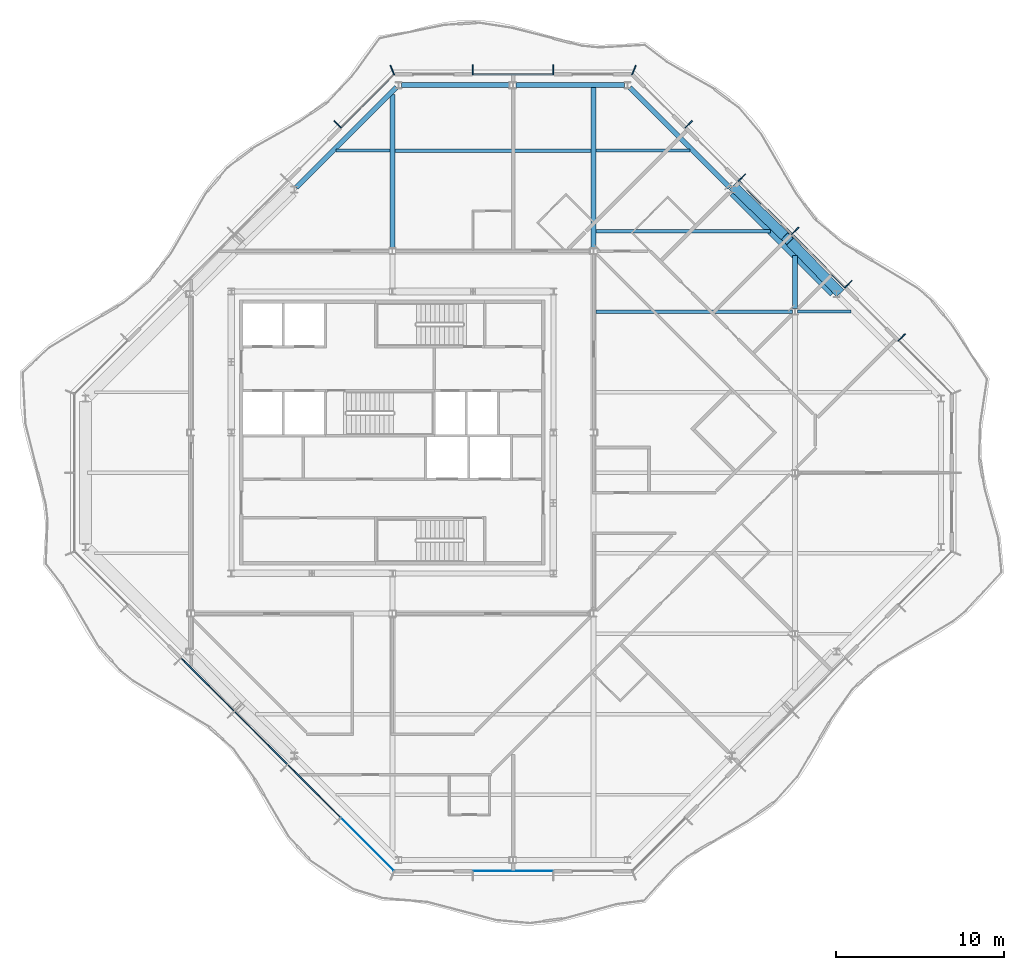
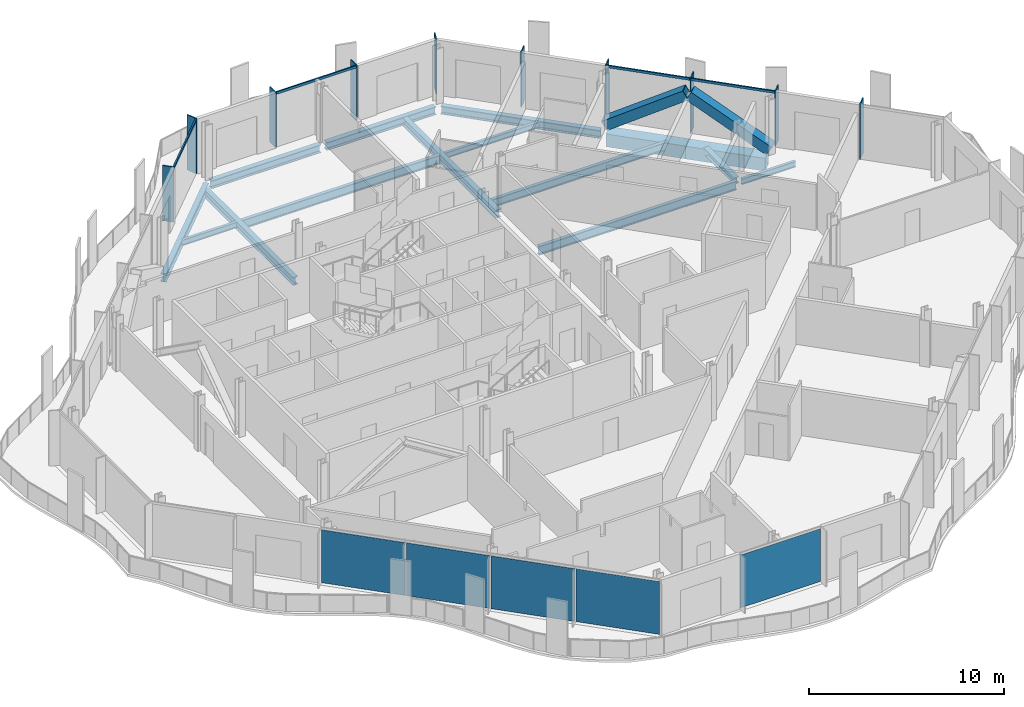
# One storey, part 5 of 17: 16 members, 15 beams, 5 plates, 5 elements without a shape of their own.
"""IFC4 building model written with IfcOpenShell, lengths in metres."""

from ifc_helpers import new_model, si_unit, direction, frame, origin, origin_2d, place, context, subcontext, project, spatial, rectangle, hollow_rectangle, i_section, extrude, material, layer, layer_set, material_profile, profile_set, type_object, element, aggregate, save


model = new_model("IFC4")

# Units and contexts
model_context = context("Model", 3, precision=1e-05, world=origin(), true_north=direction((0.0, 1.0)))
body_context = subcontext(model_context, "Body", "Model", "MODEL_VIEW")
ifc_project = project(units=[si_unit("LENGTHUNIT", "METRE"), si_unit("AREAUNIT", "SQUARE_METRE"), si_unit("VOLUMEUNIT", "CUBIC_METRE"), si_unit("PLANEANGLEUNIT", "RADIAN"), si_unit("MASSUNIT", "GRAM", prefix="KILO")], contexts=[model_context])

# Site, building, storey
site_placement = place(None, origin())
site = spatial("IfcSite", under=ifc_project, at=site_placement, CompositionType="ELEMENT")
building_placement = place(site_placement, origin())
building = spatial("IfcBuilding", under=site, at=building_placement, Name="Cairn Pilgrim Tower", CompositionType="ELEMENT")
storey_placement = place(building_placement, frame((0.0, 0.0, 274.199951171875)))
storey = spatial("IfcBuildingStorey", under=building, at=storey_placement, Name="L70", CompositionType="ELEMENT", Elevation=274.199951171875)

# Members
ifc_material_1 = material(Name="Structural steel S460M", Category="steel")
ifc_material_profile_1 = material_profile(ifc_material_1, hollow_rectangle(XDim=0.60009765625, YDim=0.60009765625, WallThickness=0.034912109375, at=origin_2d()), Name="BOX 600x600x35")
ifc_profile_set_1 = profile_set([ifc_material_profile_1], Name="Structural steel S460M")
member_type_1 = type_object("IfcMemberType", Name="BOX 600x600x35 BRACE", PredefinedType="BRACE", material=ifc_profile_set_1)
for number, where, z_axis, x_axis, name in (
    (1, (33.7919921875, 10.80908203125, 0.150146484375), (-0.592511837494, 0.612530439333, 0.523198034515), (-0.718754326239, -0.695264135788, 0.0), "XB-NE2-NE3-1"),
    (2, (27.609130859375, 16.9921875, 0.150146484375), (0.612512847648, -0.592543290535, 0.523183008428), (0.695293517132, 0.718725903967, 0.0), "XB-NE2-NE3-2"),
):
    element("IfcMember", number, at=place(storey_placement, frame(where, z_axis=z_axis, x_axis=x_axis)), inside=storey, type_object=member_type_1, Name=name, PredefinedType="BRACE", context=body_context, shape_type="SweptSolid", body=[
        extrude(hollow_rectangle(XDim=0.60009765625, YDim=0.60009765625, WallThickness=0.034912109375, at=origin_2d()), origin(), (0.0, 0.0, 1.0), 5.036865234375),
    ])

# Beams
ifc_material_2 = material(Name="Structural steel S355J2", Category="steel")
ifc_material_profile_2 = material_profile(ifc_material_2, hollow_rectangle(XDim=0.699951171875, YDim=0.800048828125, WallThickness=0.0400390625, at=origin_2d()), Name="BOX 700x800x40")
ifc_profile_set_2 = profile_set([ifc_material_profile_2], Name="Structural steel S355J2")
beam_type_1 = type_object("IfcBeamType", Name="BOX 700x800x40 RING GIRDER", PredefinedType="SPANDREL", material=ifc_profile_set_2)
for number, where, z_axis, x_axis, name in (
    (3, (33.548828125, 10.7783203125, -0.550048828125), (-0.707077865986, 0.707135695205, 0.0), (-0.707135695205, -0.707077865986, 0.0), "RG4-NE2-NE3-1"),
    (4, (30.563720703125, 13.763671875, -0.550048828125), (-0.707135695205, 0.707077865986, 0.0), (-0.707077865986, -0.707135695205, 0.0), "RG4-NE2-NE3-2"),
):
    element("IfcBeam", number, at=place(storey_placement, frame(where, z_axis=z_axis, x_axis=x_axis)), inside=storey, type_object=beam_type_1, Name=name, PredefinedType="SPANDREL", context=body_context, shape_type="SweptSolid", body=[
        extrude(hollow_rectangle(XDim=0.699951171875, YDim=0.800048828125, WallThickness=0.0400390625, at=origin_2d()), origin(), (0.0, 0.0, 1.0), 4.2216796875),
    ])

# Curtain wall, members
ifc_material_3 = material(Name="Aluminium alloy 6063-T6 bronze anodised with Bronze tinted laminated low-E glass 8+16+8.8", Category="aluminium")
curtain_wall_type = type_object("IfcCurtainWallType", Name="CROWN CURTAIN WALL", PredefinedType="NOTDEFINED", material=ifc_material_3)
curtain_wall_1_placement = place(storey_placement, origin())
curtain_wall_1 = element("IfcCurtainWall", 5, at=curtain_wall_1_placement, inside=storey, type_object=curtain_wall_type, Name="Crown Curtain Wall NE", PredefinedType="NOTDEFINED")
ifc_material_4 = material(Name="Aluminium alloy 6063-T6 bronze anodised", Category="aluminium")
ifc_material_profile_3 = material_profile(ifc_material_4, rectangle(XDim=0.60009765625, YDim=0.06005859375, at=origin_2d()), Name="FIN MULLION 60x600 BRONZE")
ifc_profile_set_3 = profile_set([ifc_material_profile_3], Name="Aluminium alloy 6063-T6 bronze anodised")
member_type_2 = type_object("IfcMemberType", Name="FIN MULLION 60x600 BRONZE", PredefinedType="MULLION", material=ifc_profile_set_3)
member_1_placement = place(storey_placement, frame((37.5654296875, 8.06298828125, 0.0), z_axis=(0.0, 0.0, 1.0), x_axis=(0.707106781187, 0.707106781187, 0.0)))
member_1 = element("IfcMember", 6, at=member_1_placement, type_object=member_type_2, Name="Fin mullion NE2", PredefinedType="MULLION", context=body_context, shape_type="SweptSolid", body=[
    extrude(rectangle(XDim=0.60009765625, YDim=0.06005859375, at=origin_2d()), origin(), (0.0, 0.0, 1.0), 3.449951171875),
])
member_2_placement = place(storey_placement, frame((34.3896484375, 11.238525390625, 0.0), z_axis=(0.0, 0.0, 1.0), x_axis=(0.707106781187, 0.707106781187, 0.0)))
member_2 = element("IfcMember", 7, at=member_2_placement, type_object=member_type_2, Name="Fin mullion NE3", PredefinedType="MULLION", context=body_context, shape_type="SweptSolid", body=[
    extrude(rectangle(XDim=0.60009765625, YDim=0.06005859375, at=origin_2d()), origin(), (0.0, 0.0, 1.0), 3.449951171875),
])
member_3_placement = place(storey_placement, frame((31.214111328125, 14.4140625, 0.0), z_axis=(0.0, 0.0, 1.0), x_axis=(0.707106781187, 0.707106781187, 0.0)))
member_3 = element("IfcMember", 8, at=member_3_placement, type_object=member_type_2, Name="Fin mullion NE4", PredefinedType="MULLION", context=body_context, shape_type="SweptSolid", body=[
    extrude(rectangle(XDim=0.60009765625, YDim=0.06005859375, at=origin_2d()), origin(), (0.0, 0.0, 1.0), 3.449951171875),
])
member_4_placement = place(storey_placement, frame((28.03857421875, 17.58984375, 0.0), z_axis=(0.0, 0.0, 1.0), x_axis=(0.707106781187, 0.707106781187, 0.0)))
member_4 = element("IfcMember", 9, at=member_4_placement, type_object=member_type_2, Name="Fin mullion NE5", PredefinedType="MULLION", context=body_context, shape_type="SweptSolid", body=[
    extrude(rectangle(XDim=0.60009765625, YDim=0.06005859375, at=origin_2d()), origin(), (0.0, 0.0, 1.0), 3.449951171875),
])
member_5_placement = place(storey_placement, frame((24.863037109375, 20.765380859375, 0.0), z_axis=(0.0, 0.0, 1.0), x_axis=(0.707106781187, 0.707106781187, 0.0)))
member_5 = element("IfcMember", 10, at=member_5_placement, type_object=member_type_2, Name="Fin mullion NE6", PredefinedType="MULLION", context=body_context, shape_type="SweptSolid", body=[
    extrude(rectangle(XDim=0.60009765625, YDim=0.06005859375, at=origin_2d()), origin(), (0.0, 0.0, 1.0), 3.449951171875),
])

curtain_wall_2_placement = place(storey_placement, origin())
curtain_wall_2 = element("IfcCurtainWall", 11, at=curtain_wall_2_placement, inside=storey, type_object=curtain_wall_type, Name="Crown Curtain Wall N", PredefinedType="NOTDEFINED")
member_6_placement = place(storey_placement, frame((21.599853515625, 23.99951171875, 0.0), z_axis=(0.0, 0.0, 1.0), x_axis=(0.382683432365, 0.923879532511, 0.0)))
member_6 = element("IfcMember", 12, at=member_6_placement, type_object=member_type_2, Name="Fin mullion N1", PredefinedType="MULLION", context=body_context, shape_type="SweptSolid", body=[
    extrude(rectangle(XDim=0.60009765625, YDim=0.06005859375, at=origin_2d()), origin(), (0.0, 0.0, 1.0), 3.449951171875),
])
member_7_placement = place(storey_placement, frame((16.800048828125, 24.02001953125, 0.0), z_axis=(0.0, 0.0, 1.0), x_axis=(0.0, 1.0, 0.0)))
member_7 = element("IfcMember", 13, at=member_7_placement, type_object=member_type_2, Name="Fin mullion N2", PredefinedType="MULLION", context=body_context, shape_type="SweptSolid", body=[
    extrude(rectangle(XDim=0.60009765625, YDim=0.06005859375, at=origin_2d()), origin(), (0.0, 0.0, 1.0), 3.449951171875),
])
member_8_placement = place(storey_placement, frame((12.0, 24.02001953125, 0.0), z_axis=(0.0, 0.0, 1.0), x_axis=(0.0, 1.0, 0.0)))
member_8 = element("IfcMember", 14, at=member_8_placement, type_object=member_type_2, Name="Fin mullion N3", PredefinedType="MULLION", context=body_context, shape_type="SweptSolid", body=[
    extrude(rectangle(XDim=0.60009765625, YDim=0.06005859375, at=origin_2d()), origin(), (0.0, 0.0, 1.0), 3.449951171875),
])

curtain_wall_3_placement = place(storey_placement, origin())
curtain_wall_3 = element("IfcCurtainWall", 15, at=curtain_wall_3_placement, inside=storey, type_object=curtain_wall_type, Name="Crown Curtain Wall NW", PredefinedType="NOTDEFINED")
member_9_placement = place(storey_placement, frame((7.2001953125, 23.99951171875, 0.0), z_axis=(0.0, 0.0, 1.0), x_axis=(-0.382683432365, 0.923879532511, 0.0)))
member_9 = element("IfcMember", 16, at=member_9_placement, type_object=member_type_2, Name="Fin mullion NW1", PredefinedType="MULLION", context=body_context, shape_type="SweptSolid", body=[
    extrude(rectangle(XDim=0.60009765625, YDim=0.06005859375, at=origin_2d()), origin(), (0.0, 0.0, 1.0), 3.449951171875),
])
member_10_placement = place(storey_placement, frame((3.93701171875, 20.765380859375, 0.0), z_axis=(0.0, 0.0, 1.0), x_axis=(-0.707106781187, 0.707106781187, 0.0)))
member_10 = element("IfcMember", 17, at=member_10_placement, type_object=member_type_2, Name="Fin mullion NW2", PredefinedType="MULLION", context=body_context, shape_type="SweptSolid", body=[
    extrude(rectangle(XDim=0.60009765625, YDim=0.06005859375, at=origin_2d()), origin(), (0.0, 0.0, 1.0), 3.449951171875),
])

# Beams
ifc_material_profile_4 = material_profile(ifc_material_2, i_section(OverallWidth=0.300048828125, OverallDepth=0.39990234375, WebThickness=0.013427734375, FlangeThickness=0.02392578125, FilletRadius=0.027099609375, at=origin_2d()), Name="HEB 400")
ifc_profile_set_4 = profile_set([ifc_material_profile_4], Name="Structural steel S355J2")
beam_type_2 = type_object("IfcBeamType", Name="HEB 400 GIRDER", PredefinedType="BEAM", material=ifc_profile_set_4)
beam_1_placement = place(storey_placement, frame((31.199951171875, 9.797119140625, -0.349853515625), z_axis=(0.0, 1.0, 0.0), x_axis=(-1.0, 0.0, 0.0)))
element("IfcBeam", 18, at=beam_1_placement, inside=storey, type_object=beam_type_2, Name="PG5-4", PredefinedType="BEAM", context=body_context, shape_type="SweptSolid", body=[
    extrude(i_section(OverallWidth=0.300048828125, OverallDepth=0.39990234375, WebThickness=0.013427734375, FlangeThickness=0.02392578125, FilletRadius=0.027099609375, at=origin_2d()), origin(), (0.0, 0.0, 1.0), 3.14794921875),
])
ifc_material_profile_5 = material_profile(ifc_material_2, i_section(OverallWidth=0.300048828125, OverallDepth=0.5, WebThickness=0.014404296875, FlangeThickness=0.028076171875, FilletRadius=0.027099609375, at=origin_2d()), Name="HEB 500")
ifc_profile_set_5 = profile_set([ifc_material_profile_5], Name="Structural steel S355J2")
beam_type_3 = type_object("IfcBeamType", Name="HEB 500 GIRDER", PredefinedType="BEAM", material=ifc_profile_set_5)
beam_2_placement = place(storey_placement, frame((7.199951171875, 13.39697265625, -0.39990234375), z_axis=(0.0, 1.0, 0.0), x_axis=(-1.0, 0.0, 0.0)))
element("IfcBeam", 19, at=beam_2_placement, inside=storey, type_object=beam_type_3, Name="PG3-2", PredefinedType="BEAM", context=body_context, shape_type="SweptSolid", body=[
    extrude(i_section(OverallWidth=0.300048828125, OverallDepth=0.5, WebThickness=0.014404296875, FlangeThickness=0.028076171875, FilletRadius=0.027099609375, at=origin_2d()), origin(), (0.0, 0.0, 1.0), 9.148193359375),
])
beam_3_placement = place(storey_placement, frame((19.199951171875, 13.39697265625, -0.39990234375), z_axis=(0.0, 1.0, 0.0), x_axis=(-1.0, 0.0, 0.0)))
element("IfcBeam", 20, at=beam_3_placement, inside=storey, type_object=beam_type_3, Name="PG4-4", PredefinedType="BEAM", context=body_context, shape_type="SweptSolid", body=[
    extrude(i_section(OverallWidth=0.300048828125, OverallDepth=0.5, WebThickness=0.014404296875, FlangeThickness=0.028076171875, FilletRadius=0.027099609375, at=origin_2d()), origin(), (0.0, 0.0, 1.0), 9.5830078125),
])
ifc_material_profile_6 = material_profile(ifc_material_2, i_section(OverallWidth=0.300048828125, OverallDepth=0.5, WebThickness=0.014404296875, FlangeThickness=0.028076171875, FilletRadius=0.027099609375, at=origin_2d()), Name="HEB 500")
ifc_profile_set_6 = profile_set([ifc_material_profile_6], Name="Structural steel S355J2")
beam_type_4 = type_object("IfcBeamType", Name="HEB 500 RING GIRDER", PredefinedType="SPANDREL", material=ifc_profile_set_6)
beam_4_placement = place(storey_placement, frame((27.324462890625, 17.002685546875, -0.39990234375), z_axis=(-0.707106781187, 0.707106781187, 0.0), x_axis=(-0.707106781187, -0.707106781187, 0.0)))
element("IfcBeam", 21, at=beam_4_placement, inside=storey, type_object=beam_type_4, Name="RG4-NE3-N1", PredefinedType="SPANDREL", context=body_context, shape_type="SweptSolid", body=[
    extrude(i_section(OverallWidth=0.300048828125, OverallDepth=0.5, WebThickness=0.014404296875, FlangeThickness=0.028076171875, FilletRadius=0.027099609375, at=origin_2d()), origin(), (0.0, 0.0, 1.0), 8.443115234375),
])
beam_5_placement = place(storey_placement, frame((21.047607421875, 23.10009765625, -0.39990234375), z_axis=(-1.0, 0.0, 0.0), x_axis=(0.0, -1.0, 0.0)))
element("IfcBeam", 22, at=beam_5_placement, inside=storey, type_object=beam_type_4, Name="RG4-N1-N2", PredefinedType="SPANDREL", context=body_context, shape_type="SweptSolid", body=[
    extrude(i_section(OverallWidth=0.300048828125, OverallDepth=0.5, WebThickness=0.014404296875, FlangeThickness=0.028076171875, FilletRadius=0.027099609375, at=origin_2d()), origin(), (0.0, 0.0, 1.0), 6.468017578125),
])
beam_6_placement = place(storey_placement, frame((14.220458984375, 23.10009765625, -0.39990234375), z_axis=(-1.0, 0.0, 0.0), x_axis=(0.0, -1.0, 0.0)))
element("IfcBeam", 23, at=beam_6_placement, inside=storey, type_object=beam_type_4, Name="RG4-N2-NW1", PredefinedType="SPANDREL", context=body_context, shape_type="SweptSolid", body=[
    extrude(i_section(OverallWidth=0.300048828125, OverallDepth=0.5, WebThickness=0.014404296875, FlangeThickness=0.028076171875, FilletRadius=0.027099609375, at=origin_2d()), origin(), (0.0, 0.0, 1.0), 6.46826171875),
])
beam_7_placement = place(storey_placement, frame((7.44580078125, 22.972900390625, -0.39990234375), z_axis=(-0.707106781187, -0.707106781187, 0.0), x_axis=(0.707106781187, -0.707106781187, 0.0)))
element("IfcBeam", 24, at=beam_7_placement, inside=storey, type_object=beam_type_4, Name="RG4-NW1-NW2", PredefinedType="SPANDREL", context=body_context, shape_type="SweptSolid", body=[
    extrude(i_section(OverallWidth=0.300048828125, OverallDepth=0.5, WebThickness=0.014404296875, FlangeThickness=0.028076171875, FilletRadius=0.027099609375, at=origin_2d()), origin(), (0.0, 0.0, 1.0), 8.443115234375),
])
ifc_material_profile_7 = material_profile(ifc_material_2, i_section(OverallWidth=0.169921875, OverallDepth=0.360107421875, WebThickness=0.008056640625, FlangeThickness=0.0126953125, FilletRadius=0.01806640625, at=origin_2d()), Name="IPE 360")
ifc_profile_set_7 = profile_set([ifc_material_profile_7], Name="Structural steel S355J2")
beam_type_5 = type_object("IfcBeamType", Name="IPE 360 SECONDARY BEAM", PredefinedType="JOIST", material=ifc_profile_set_7)
for number, where, z_axis, x_axis, name in (
    (25, (31.35009765625, 9.60009765625, -0.329833984375), (1.0, 0.0, 0.0), (0.0, 1.0, 0.0), "SB7-2"),
    (26, (3.85498046875, 19.199951171875, -0.329833984375), (1.0, 0.0, 0.0), (0.0, 1.0, 0.0), "SB9-1"),
):
    element("IfcBeam", number, at=place(storey_placement, frame(where, z_axis=z_axis, x_axis=x_axis)), inside=storey, type_object=beam_type_5, Name=name, PredefinedType="JOIST", context=body_context, shape_type="SweptSolid", body=[
        extrude(i_section(OverallWidth=0.169921875, OverallDepth=0.360107421875, WebThickness=0.008056640625, FlangeThickness=0.0126953125, FilletRadius=0.01806640625, at=origin_2d()), origin(), (0.0, 0.0, 1.0), 3.195068359375),
    ])
beam_8_placement = place(storey_placement, frame((19.35009765625, 19.199951171875, -0.329833984375), z_axis=(1.0, 0.0, 0.0), x_axis=(0.0, 1.0, 0.0)))
element("IfcBeam", 27, at=beam_8_placement, inside=storey, type_object=beam_type_5, Name="SB9-3", PredefinedType="JOIST", context=body_context, shape_type="SweptSolid", body=[
    extrude(i_section(OverallWidth=0.169921875, OverallDepth=0.360107421875, WebThickness=0.008056640625, FlangeThickness=0.0126953125, FilletRadius=0.01806640625, at=origin_2d()), origin(), (0.0, 0.0, 1.0), 5.594970703125),
])
ifc_material_profile_8 = material_profile(ifc_material_2, i_section(OverallWidth=0.199951171875, OverallDepth=0.5, WebThickness=0.01025390625, FlangeThickness=0.01611328125, FilletRadius=0.02099609375, at=origin_2d()), Name="IPE 500")
ifc_profile_set_8 = profile_set([ifc_material_profile_8], Name="Structural steel S355J2")
beam_type_6 = type_object("IfcBeamType", Name="IPE 500 SECONDARY BEAM", PredefinedType="JOIST", material=ifc_profile_set_8)
beam_9_placement = place(storey_placement, frame((19.35009765625, 14.39990234375, -0.39990234375), z_axis=(1.0, 0.0, 0.0), x_axis=(0.0, 1.0, 0.0)))
element("IfcBeam", 28, at=beam_9_placement, inside=storey, type_object=beam_type_6, Name="SB8-1", PredefinedType="JOIST", context=body_context, shape_type="SweptSolid", body=[
    extrude(i_section(OverallWidth=0.199951171875, OverallDepth=0.5, WebThickness=0.01025390625, FlangeThickness=0.01611328125, FilletRadius=0.02099609375, at=origin_2d()), origin(), (0.0, 0.0, 1.0), 10.39501953125),
])
ifc_material_profile_9 = material_profile(ifc_material_2, i_section(OverallWidth=0.2099609375, OverallDepth=0.550048828125, WebThickness=0.010986328125, FlangeThickness=0.01708984375, FilletRadius=0.02392578125, at=origin_2d()), Name="IPE 550")
ifc_profile_set_9 = profile_set([ifc_material_profile_9], Name="Structural steel S355J2")
beam_type_7 = type_object("IfcBeamType", Name="IPE 550 SECONDARY BEAM", PredefinedType="JOIST", material=ifc_profile_set_9)
for number, where, z_axis, x_axis, name in (
    (29, (19.35009765625, 9.60009765625, -0.425048828125), (1.0, 0.0, 0.0), (0.0, 1.0, 0.0), "SB7-1"),
    (30, (7.35009765625, 19.199951171875, -0.425048828125), (1.0, 0.0, 0.0), (0.0, 1.0, 0.0), "SB9-2"),
):
    element("IfcBeam", number, at=place(storey_placement, frame(where, z_axis=z_axis, x_axis=x_axis)), inside=storey, type_object=beam_type_7, Name=name, PredefinedType="JOIST", context=body_context, shape_type="SweptSolid", body=[
        extrude(i_section(OverallWidth=0.2099609375, OverallDepth=0.550048828125, WebThickness=0.010986328125, FlangeThickness=0.01708984375, FilletRadius=0.02392578125, at=origin_2d()), origin(), (0.0, 0.0, 1.0), 11.699951171875),
    ])

# Member
ifc_material_profile_10 = material_profile(ifc_material_4, rectangle(XDim=0.080078125, YDim=0.14990234375, at=origin_2d()), Name="TRANSOM 80x150 BRONZE")
ifc_profile_set_10 = profile_set([ifc_material_profile_10], Name="Aluminium alloy 6063-T6 bronze anodised")
member_type_3 = type_object("IfcMemberType", Name="TRANSOM 80x150 BRONZE", PredefinedType="USERDEFINED", material=ifc_profile_set_10)
member_11_placement = place(storey_placement, frame((34.177490234375, 11.06884765625, 3.375), z_axis=(-0.707106781187, 0.707106781187, 0.0), x_axis=(-0.707106781187, -0.707106781187, 0.0)))
member_11 = element("IfcMember", 31, at=member_11_placement, type_object=member_type_3, Name="Transom NE3", ObjectType="TRANSOM", PredefinedType="USERDEFINED", context=body_context, shape_type="SweptSolid", body=[
    extrude(rectangle(XDim=0.080078125, YDim=0.14990234375, at=origin_2d()), origin(), (0.0, 0.0, 1.0), 4.430908203125),
])

member_12_placement = place(storey_placement, frame((31.001953125, 14.244384765625, 3.375), z_axis=(-0.707079231393, 0.707134329907, 0.0), x_axis=(-0.707134329907, -0.707079231393, 0.0)))
member_12 = element("IfcMember", 32, at=member_12_placement, type_object=member_type_3, Name="Transom NE4", ObjectType="TRANSOM", PredefinedType="USERDEFINED", context=body_context, shape_type="SweptSolid", body=[
    extrude(rectangle(XDim=0.080078125, YDim=0.14990234375, at=origin_2d()), origin(), (0.0, 0.0, 1.0), 4.430908203125),
])

aggregate(curtain_wall_1, [member_1, member_2, member_3, member_4, member_5, member_11, member_12])

member_13_placement = place(storey_placement, frame((16.77001953125, 23.75, 3.375), z_axis=(-1.0, 0.0, 0.0), x_axis=(0.0, -1.0, 0.0)))
member_13 = element("IfcMember", 33, at=member_13_placement, type_object=member_type_3, Name="Transom N2", ObjectType="TRANSOM", PredefinedType="USERDEFINED", context=body_context, shape_type="SweptSolid", body=[
    extrude(rectangle(XDim=0.080078125, YDim=0.14990234375, at=origin_2d()), origin(), (0.0, 0.0, 1.0), 4.739990234375),
])

aggregate(curtain_wall_2, [member_6, member_7, member_8, member_13])

member_14_placement = place(storey_placement, frame((7.275390625, 23.7216796875, 3.375), z_axis=(-0.707134392299, -0.707079168996, 0.0), x_axis=(0.707079168996, -0.707134392299, 0.0)))
member_14 = element("IfcMember", 34, at=member_14_placement, type_object=member_type_3, Name="Transom NW1", ObjectType="TRANSOM", PredefinedType="USERDEFINED", context=body_context, shape_type="SweptSolid", body=[
    extrude(rectangle(XDim=0.080078125, YDim=0.14990234375, at=origin_2d()), origin(), (0.0, 0.0, 1.0), 4.4208984375),
])

aggregate(curtain_wall_3, [member_9, member_10, member_14])

# Curtain wall, plates
curtain_wall_4_placement = place(storey_placement, origin())
curtain_wall_4 = element("IfcCurtainWall", 35, at=curtain_wall_4_placement, inside=storey, type_object=curtain_wall_type, Name="Crown Curtain Wall SW", PredefinedType="NOTDEFINED")
ifc_material_5 = material(Name="Bronze anodised aluminium spandrel panel with mineral wool insulation", Category="aluminium")
ifc_layer_1 = layer(ifc_material_5, 0.06005859375)
ifc_layer_set_1 = layer_set([ifc_layer_1], Name="SPANDREL PANEL 4431x3300")
plate_type_1 = type_object("IfcPlateType", Name="SPANDREL PANEL 4431x3300", PredefinedType="CURTAIN_PANEL", material=ifc_layer_set_1)
plate_1_placement = place(storey_placement, frame((-3.81103515625, -12.635498046875, 0.0), z_axis=(0.0, 0.0, 1.0), x_axis=(0.707106781187, -0.707106781187, 0.0)))
plate_1 = element("IfcPlate", 36, at=plate_1_placement, type_object=plate_type_1, Name="Spandrel Panel SW3-1", PredefinedType="CURTAIN_PANEL", context=body_context, shape_type="SweptSolid", body=[
    extrude(rectangle(XDim=4.430908203125, YDim=0.06005859375, at=origin_2d()), origin(), (0.0, 0.0, 1.0), 3.300048828125),
])
plate_2_placement = place(storey_placement, frame((-0.635498046875, -15.81103515625, 0.0), z_axis=(0.0, 0.0, 1.0), x_axis=(0.707106781187, -0.707106781187, 0.0)))
plate_2 = element("IfcPlate", 37, at=plate_2_placement, type_object=plate_type_1, Name="Spandrel Panel SW4-1", PredefinedType="CURTAIN_PANEL", context=body_context, shape_type="SweptSolid", body=[
    extrude(rectangle(XDim=4.430908203125, YDim=0.06005859375, at=origin_2d()), origin(), (0.0, 0.0, 1.0), 3.300048828125),
])
plate_3_placement = place(storey_placement, frame((2.540283203125, -18.986572265625, 0.0), z_axis=(0.0, 0.0, 1.0), x_axis=(0.707106781187, -0.707106781187, 0.0)))
plate_3 = element("IfcPlate", 38, at=plate_3_placement, type_object=plate_type_1, Name="Spandrel Panel SW5-1", PredefinedType="CURTAIN_PANEL", context=body_context, shape_type="SweptSolid", body=[
    extrude(rectangle(XDim=4.430908203125, YDim=0.06005859375, at=origin_2d()), origin(), (0.0, 0.0, 1.0), 3.300048828125),
])
ifc_material_6 = material(Name="Bronze tinted laminated low-E glass 8+16+8.8", Category="glass")
ifc_layer_2 = layer(ifc_material_6, 0.033935546875)
ifc_layer_set_2 = layer_set([ifc_layer_2], Name="VISION GLAZING 4421x3300")
plate_type_2 = type_object("IfcPlateType", Name="VISION GLAZING 4421x3300", PredefinedType="CURTAIN_PANEL", material=ifc_layer_set_2)
plate_4_placement = place(storey_placement, frame((5.712158203125, -22.15869140625, 0.0), z_axis=(0.0, 0.0, 1.0), x_axis=(0.707106781187, -0.707106781187, 0.0)))
plate_4 = element("IfcPlate", 39, at=plate_4_placement, type_object=plate_type_2, Name="Vision Glazing SW6-1", PredefinedType="CURTAIN_PANEL", context=body_context, shape_type="SweptSolid", body=[
    extrude(rectangle(XDim=4.4208984375, YDim=0.033935546875, at=origin_2d()), origin(), (0.0, 0.0, 1.0), 3.300048828125),
])
aggregate(curtain_wall_4, [plate_1, plate_2, plate_3, plate_4])

# Curtain wall, plate
curtain_wall_5_placement = place(storey_placement, origin())
curtain_wall_5 = element("IfcCurtainWall", 40, at=curtain_wall_5_placement, inside=storey, type_object=curtain_wall_type, Name="Crown Curtain Wall S", PredefinedType="NOTDEFINED")
ifc_layer_3 = layer(ifc_material_6, 0.033935546875)
ifc_layer_set_3 = layer_set([ifc_layer_3], Name="VISION GLAZING 4740x3300")
plate_type_3 = type_object("IfcPlateType", Name="VISION GLAZING 4740x3300", PredefinedType="CURTAIN_PANEL", material=ifc_layer_set_3)
plate_5_placement = place(storey_placement, frame((14.39990234375, -23.75, 0.0), z_axis=(0.0, 0.0, 1.0), x_axis=(1.0, 0.0, 0.0)))
plate_5 = element("IfcPlate", 41, at=plate_5_placement, type_object=plate_type_3, Name="Vision Glazing S2-1", PredefinedType="CURTAIN_PANEL", context=body_context, shape_type="SweptSolid", body=[
    extrude(rectangle(XDim=4.739990234375, YDim=0.033935546875, at=origin_2d()), origin(), (0.0, 0.0, 1.0), 3.300048828125),
])
aggregate(curtain_wall_5, [plate_5])

save(model, "model.ifc")
